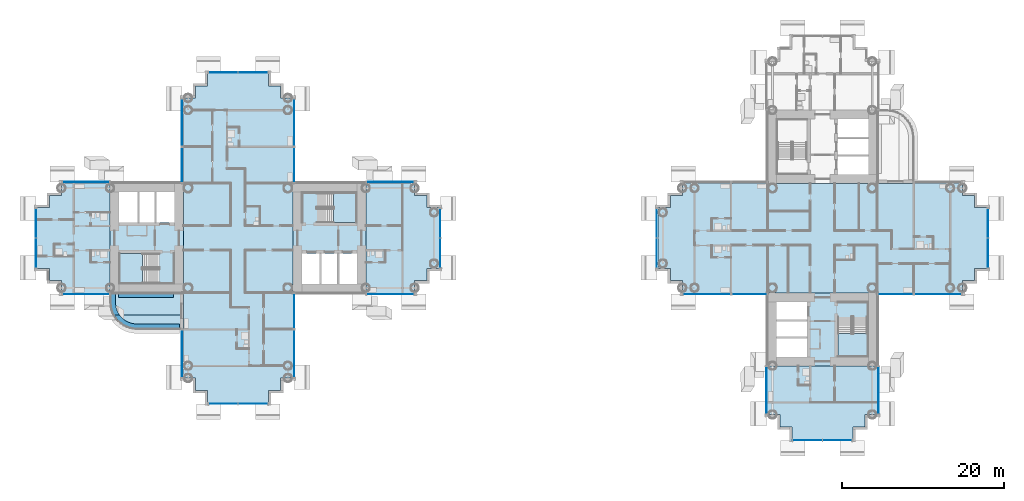
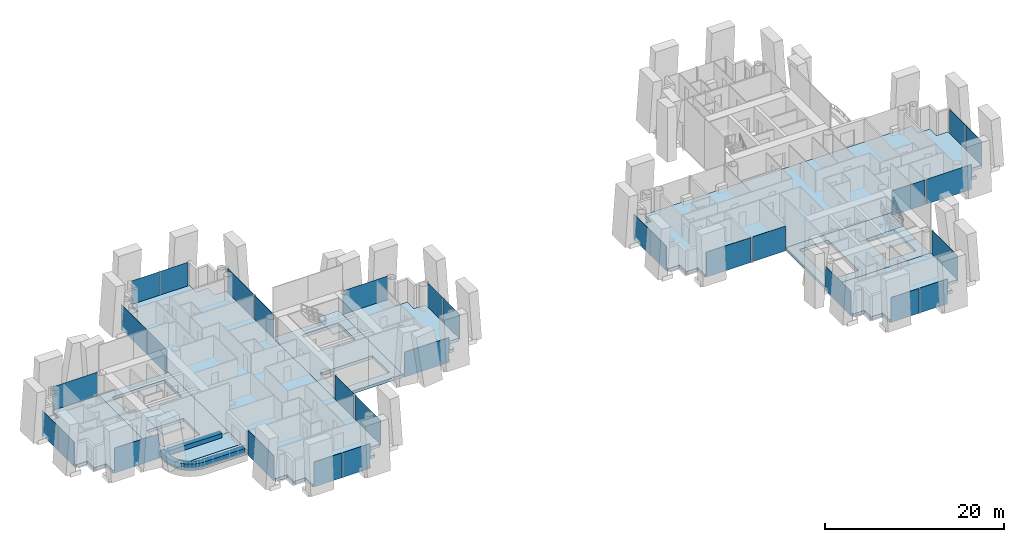
# One storey, part 8 of 24: 31 plates, 16 slabs, 27 elements without a shape of their own.
"""IFC4 building model written with IfcOpenShell, lengths in metres."""

from ifc_helpers import new_model, si_unit, direction, frame, origin, origin_2d, place, context, subcontext, project, spatial, polyline, rectangle, outline, extrude, material, layer, layer_set, type_object, element, aggregate, save


model = new_model("IFC4")

# Units and contexts
model_context = context("Model", 3, precision=1e-05, world=origin(), true_north=direction((0.0, 1.0)))
body_context = subcontext(model_context, "Body", "Model", "MODEL_VIEW")
ifc_project = project(units=[si_unit("LENGTHUNIT", "METRE"), si_unit("AREAUNIT", "SQUARE_METRE"), si_unit("VOLUMEUNIT", "CUBIC_METRE"), si_unit("PLANEANGLEUNIT", "RADIAN"), si_unit("MASSUNIT", "GRAM", prefix="KILO")], contexts=[model_context])

# Site, building, storey
site_placement = place(None, origin())
site = spatial("IfcSite", under=ifc_project, at=site_placement, CompositionType="ELEMENT")
building_placement = place(site_placement, origin())
building = spatial("IfcBuilding", under=site, at=building_placement, Name="Ipe Terrace Towers", CompositionType="ELEMENT")
storey_placement = place(building_placement, frame((0.0, 0.0, 38.10009765625)))
storey = spatial("IfcBuildingStorey", under=building, at=storey_placement, Name="L09", CompositionType="ELEMENT", Elevation=38.10009765625)

# Slabs
ifc_material_1 = material(Name="Concrete C30/37", Category="concrete")
ifc_layer_1 = layer(ifc_material_1, 0.199951171875)
ifc_layer_set_1 = layer_set([ifc_layer_1], Name="BALCONY SLAB 200")
slab_type_1 = type_object("IfcSlabType", Name="BALCONY SLAB 200", PredefinedType="FLOOR", material=ifc_layer_set_1)
slab_1_placement = place(storey_placement, frame((0.0, 0.0, -0.22021484375)))
element("IfcSlab", 1, at=slab_1_placement, inside=storey, type_object=slab_type_1, Name="balcony slab", PredefinedType="FLOOR", context=body_context, shape_type="SweptSolid", body=[
    extrude(outline(polyline([(-51.4990234375, -9.212890625), (-51.382080078125, -9.449951171875), (-42.75, -9.449951171875), (-42.75, -6.75), (-51.75, -6.75), (-51.75, -7.949951171875), (-51.721923828125, -8.381103515625), (-51.637939453125, -8.803955078125), (-51.4990234375, -9.212890625)])), origin(), (0.0, 0.0, 1.0), 0.2001953125),
])
slab_2_placement = place(storey_placement, frame((0.0, 0.0, -0.22021484375)))
element("IfcSlab", 2, at=slab_2_placement, inside=storey, type_object=slab_type_1, Name="balcony slab", PredefinedType="FLOOR", context=body_context, shape_type="SweptSolid", body=[
    extrude(outline(polyline([(-42.75, -11.25), (-42.75, -9.449951171875), (-51.382080078125, -9.449951171875), (-51.30810546875, -9.60009765625), (-51.068115234375, -9.958984375), (-50.782958984375, -10.282958984375), (-50.458984375, -10.568115234375), (-50.10009765625, -10.80810546875), (-49.712890625, -10.9990234375), (-49.303955078125, -11.137939453125), (-48.881103515625, -11.221923828125), (-48.449951171875, -11.25), (-42.75, -11.25)])), origin(), (0.0, 0.0, 1.0), 0.2001953125),
])
ifc_material_2 = material(Name="Concrete C30/37", Category="concrete")
ifc_layer_2 = layer(ifc_material_2, 0.39990234375)
ifc_layer_set_2 = layer_set([ifc_layer_2], Name="CORE FLOOR SLAB 400 C30-37")
slab_type_2 = type_object("IfcSlabType", Name="CORE FLOOR SLAB 400 C30-37", PredefinedType="FLOOR", material=ifc_layer_set_2)
slab_3_placement = place(storey_placement, frame((0.0, 0.0, -0.400146484375)))
element("IfcSlab", 3, at=slab_3_placement, inside=storey, type_object=slab_type_2, Name="Core floor T1-C1", PredefinedType="FLOOR", context=body_context, shape_type="SweptSolid", body=[
    extrude(outline(polyline([(-29.25, -6.75), (-29.25, 6.75), (-20.25, 6.75), (-20.25, -6.75), (-29.25, -6.75)]), holes=[polyline([(-28.14990234375, -5.64990234375), (-21.35009765625, -5.64990234375), (-21.35009765625, -1.89990234375), (-28.14990234375, -1.89990234375), (-28.14990234375, -5.64990234375)]), polyline([(-26.199951171875, 5.550048828125), (-26.199951171875, 1.89990234375), (-21.449951171875, 1.89990234375), (-21.449951171875, 5.550048828125), (-26.199951171875, 5.550048828125)])]), origin(), (0.0, 0.0, 1.0), 0.400146484375),
])
slab_4_placement = place(storey_placement, frame((0.0, 0.0, -0.400146484375)))
element("IfcSlab", 4, at=slab_4_placement, inside=storey, type_object=slab_type_2, Name="Core floor T1-C2", PredefinedType="FLOOR", context=body_context, shape_type="SweptSolid", body=[
    extrude(outline(polyline([(-51.75, -6.75), (-51.75, 6.75), (-42.75, 6.75), (-42.75, -6.75), (-51.75, -6.75)]), holes=[polyline([(-45.800048828125, -5.550048828125), (-45.800048828125, -1.89990234375), (-50.550048828125, -1.89990234375), (-50.550048828125, -5.550048828125), (-45.800048828125, -5.550048828125)]), polyline([(-50.64990234375, 1.89990234375), (-43.85009765625, 1.89990234375), (-43.85009765625, 5.64990234375), (-50.64990234375, 5.64990234375), (-50.64990234375, 1.89990234375)])]), origin(), (0.0, 0.0, 1.0), 0.400146484375),
])
slab_5_placement = place(storey_placement, frame((0.0, 0.0, -0.400146484375)))
element("IfcSlab", 5, at=slab_5_placement, inside=storey, type_object=slab_type_2, Name="Core floor T2-C2", PredefinedType="FLOOR", context=body_context, shape_type="SweptSolid", body=[
    extrude(outline(polyline([(29.25, -15.75), (29.25, -6.75), (42.75, -6.75), (42.75, -15.75), (29.25, -15.75)]), holes=[polyline([(34.10009765625, -14.64990234375), (34.10009765625, -7.85009765625), (30.35009765625, -7.85009765625), (30.35009765625, -14.64990234375), (34.10009765625, -14.64990234375)]), polyline([(41.550048828125, -9.800048828125), (37.89990234375, -9.800048828125), (37.89990234375, -14.550048828125), (41.550048828125, -14.550048828125), (41.550048828125, -9.800048828125)])]), origin(), (0.0, 0.0, 1.0), 0.400146484375),
])

# Stair, slab
ifc_material_3 = material(Name="Concrete C30/37", Category="concrete")
stair_type = type_object("IfcStairType", Name="Protected exit stair", PredefinedType="HALF_TURN_STAIR", material=ifc_material_3)
stair_1_placement = place(storey_placement, origin())
stair_1 = element("IfcStair", 6, at=stair_1_placement, inside=storey, type_object=stair_type, Name="L09 Exit stair T1-C1", PredefinedType="HALF_TURN_STAIR")
ifc_material_4 = material(Name="Concrete C30/37", Category="concrete")
ifc_layer_3 = layer(ifc_material_4, 0.199951171875)
ifc_layer_set_3 = layer_set([ifc_layer_3], Name="Exit stair landing 200")
slab_type_3 = type_object("IfcSlabType", Name="Exit stair landing 200", PredefinedType="LANDING", material=ifc_layer_set_3)
slab_6_placement = place(storey_placement, frame((0.0, 0.0, 1.5)))
slab_6 = element("IfcSlab", 7, at=slab_6_placement, type_object=slab_type_3, Name="T1-ST1 landing 1", PredefinedType="LANDING", context=body_context, shape_type="SweptSolid", body=[
    extrude(outline(polyline([(-24.219970703125, 1.89990234375), (-21.449951171875, 1.89990234375), (-21.449951171875, 5.550048828125), (-24.219970703125, 5.550048828125), (-24.219970703125, 1.89990234375)])), origin(), (0.0, 0.0, 1.0), 0.199951171875),
])
aggregate(stair_1, [slab_6])

stair_2_placement = place(storey_placement, origin())
stair_2 = element("IfcStair", 8, at=stair_2_placement, inside=storey, type_object=stair_type, Name="L09 Exit stair T1-C2", PredefinedType="HALF_TURN_STAIR")
slab_7_placement = place(storey_placement, frame((0.0, 0.0, 1.5)))
slab_7 = element("IfcSlab", 9, at=slab_7_placement, type_object=slab_type_3, Name="T1-ST2 landing 1", PredefinedType="LANDING", context=body_context, shape_type="SweptSolid", body=[
    extrude(outline(polyline([(-47.780029296875, -1.89990234375), (-50.550048828125, -1.89990234375), (-50.550048828125, -5.550048828125), (-47.780029296875, -5.550048828125), (-47.780029296875, -1.89990234375)])), origin(), (0.0, 0.0, 1.0), 0.199951171875),
])
aggregate(stair_2, [slab_7])

stair_3_placement = place(storey_placement, origin())
stair_3 = element("IfcStair", 10, at=stair_3_placement, inside=storey, type_object=stair_type, Name="L09 Exit stair T2-C2", PredefinedType="HALF_TURN_STAIR")
slab_8_placement = place(storey_placement, frame((0.0, 0.0, 1.5)))
slab_8 = element("IfcSlab", 11, at=slab_8_placement, type_object=slab_type_3, Name="T2-ST2 landing 1", PredefinedType="LANDING", context=body_context, shape_type="SweptSolid", body=[
    extrude(outline(polyline([(37.89990234375, -11.780029296875), (37.89990234375, -14.550048828125), (41.550048828125, -14.550048828125), (41.550048828125, -11.780029296875), (37.89990234375, -11.780029296875)])), origin(), (0.0, 0.0, 1.0), 0.199951171875),
])
aggregate(stair_3, [slab_8])

# Slabs
ifc_material_5 = material(Name="Concrete C40/50", Category="concrete")
ifc_layer_4 = layer(ifc_material_5, 0.39990234375)
ifc_layer_set_4 = layer_set([ifc_layer_4], Name="FLAT PLATE SLAB 400 C40-50")
slab_type_4 = type_object("IfcSlabType", Name="FLAT PLATE SLAB 400 C40-50", PredefinedType="FLOOR", material=ifc_layer_set_4)
slab_9_placement = place(storey_placement, frame((0.0, 0.0, -0.400146484375)))
element("IfcSlab", 12, at=slab_9_placement, inside=storey, type_object=slab_type_4, Name="Slab T1-FS-Z11", PredefinedType="FLOOR", context=body_context, shape_type="SweptSolid", body=[
    extrude(outline(polyline([(-30.75, -17.25), (-30.75, -18.75), (-32.25, -18.75), (-32.25, -20.25), (-39.75, -20.25), (-39.75, -18.75), (-41.25, -18.75), (-41.25, -17.25), (-42.75, -17.25), (-42.75, -6.75), (-42.75, 6.75), (-42.75, 17.25), (-41.25, 17.25), (-41.25, 18.75), (-39.75, 18.75), (-39.75, 20.25), (-32.25, 20.25), (-32.25, 18.75), (-30.75, 18.75), (-30.75, 17.25), (-29.25, 17.25), (-29.25, 6.75), (-29.25, -6.75), (-29.25, -17.25), (-30.75, -17.25)])), origin(), (0.0, 0.0, 1.0), 0.400146484375),
])
slab_10_placement = place(storey_placement, frame((0.0, 0.0, -0.400146484375)))
element("IfcSlab", 13, at=slab_10_placement, inside=storey, type_object=slab_type_4, Name="Slab T1-FS-Z12", PredefinedType="FLOOR", context=body_context, shape_type="SweptSolid", body=[
    extrude(outline(polyline([(-57.75, -6.75), (-57.75, -5.25), (-59.25, -5.25), (-59.25, -3.75), (-60.75, -3.75), (-60.75, 3.75), (-59.25, 3.75), (-59.25, 5.25), (-57.75, 5.25), (-57.75, 6.75), (-51.75, 6.75), (-51.75, -6.75), (-57.75, -6.75)])), origin(), (0.0, 0.0, 1.0), 0.400146484375),
])
slab_11_placement = place(storey_placement, frame((0.0, 0.0, -0.400146484375)))
element("IfcSlab", 14, at=slab_11_placement, inside=storey, type_object=slab_type_4, Name="Slab T1-FS-Z13", PredefinedType="FLOOR", context=body_context, shape_type="SweptSolid", body=[
    extrude(outline(polyline([(-14.25, 5.25), (-12.75, 5.25), (-12.75, 3.75), (-11.25, 3.75), (-11.25, -3.75), (-12.75, -3.75), (-12.75, -5.25), (-14.25, -5.25), (-14.25, -6.75), (-20.25, -6.75), (-20.25, 6.75), (-14.25, 6.75), (-14.25, 5.25)])), origin(), (0.0, 0.0, 1.0), 0.400146484375),
])
slab_12_placement = place(storey_placement, frame((0.0, 0.0, -0.400146484375)))
element("IfcSlab", 15, at=slab_12_placement, inside=storey, type_object=slab_type_4, Name="Slab T2-FS-Z11", PredefinedType="FLOOR", context=body_context, shape_type="SweptSolid", body=[
    extrude(outline(polyline([(53.25, 5.25), (54.75, 5.25), (54.75, 3.75), (56.25, 3.75), (56.25, -3.75), (54.75, -3.75), (54.75, -5.25), (53.25, -5.25), (53.25, -6.75), (42.75, -6.75), (29.25, -6.75), (18.75, -6.75), (18.75, -5.25), (17.25, -5.25), (17.25, -3.75), (15.75, -3.75), (15.75, 3.75), (17.25, 3.75), (17.25, 5.25), (18.75, 5.25), (18.75, 6.75), (29.25, 6.75), (42.75, 6.75), (53.25, 6.75), (53.25, 5.25)])), origin(), (0.0, 0.0, 1.0), 0.400146484375),
])
slab_13_placement = place(storey_placement, frame((0.0, 0.0, -0.400146484375)))
element("IfcSlab", 16, at=slab_13_placement, inside=storey, type_object=slab_type_4, Name="Slab T2-FS-Z12", PredefinedType="FLOOR", context=body_context, shape_type="SweptSolid", body=[
    extrude(outline(polyline([(42.75, -21.75), (41.25, -21.75), (41.25, -23.25), (39.75, -23.25), (39.75, -24.75), (32.25, -24.75), (32.25, -23.25), (30.75, -23.25), (30.75, -21.75), (29.25, -21.75), (29.25, -15.75), (42.75, -15.75), (42.75, -21.75)])), origin(), (0.0, 0.0, 1.0), 0.400146484375),
])
ifc_material_6 = material(Name="Concrete C30/37", Category="concrete")
ifc_layer_5 = layer(ifc_material_6, 0.60009765625)
ifc_layer_set_5 = layer_set([ifc_layer_5], Name="PLANTER TROUGH 550 x 600")
slab_type_5 = type_object("IfcSlabType", Name="PLANTER TROUGH 550 x 600", PredefinedType="USERDEFINED", material=ifc_layer_set_5)
slab_14_placement = place(storey_placement, frame((0.0, 0.0, -0.02001953125)))
element("IfcSlab", 17, at=slab_14_placement, inside=storey, type_object=slab_type_5, Name="planter", ObjectType="PLANTER", PredefinedType="USERDEFINED", context=body_context, shape_type="SweptSolid", body=[
    extrude(outline(polyline([(-50.9990234375, -8.633056640625), (-51.06591796875, -8.2939453125), (-51.090087890625, -7.927978515625), (-51.090087890625, -6.75), (-51.639892578125, -6.75), (-51.639892578125, -7.93701171875), (-51.638916015625, -7.955078125), (-51.614013671875, -8.347900390625), (-51.60888671875, -8.384033203125), (-51.534912109375, -8.758056640625), (-51.52490234375, -8.79296875), (-51.403076171875, -9.154052734375), (-51.388916015625, -9.18701171875), (-51.259033203125, -9.449951171875), (-50.614013671875, -9.449951171875), (-50.735107421875, -9.26904296875), (-50.887939453125, -8.9599609375), (-50.9990234375, -8.633056640625)])), origin(), (0.0, 0.0, 1.0), 0.599853515625),
])
slab_15_placement = place(storey_placement, frame((0.0, 0.0, -0.02001953125)))
element("IfcSlab", 18, at=slab_15_placement, inside=storey, type_object=slab_type_5, Name="planter", ObjectType="PLANTER", PredefinedType="USERDEFINED", context=body_context, shape_type="SweptSolid", body=[
    extrude(outline(polyline([(-50.54296875, -9.555908203125), (-50.614013671875, -9.449951171875), (-51.259033203125, -9.449951171875), (-51.219970703125, -9.529052734375), (-51.201904296875, -9.56005859375), (-50.990966796875, -9.876953125), (-50.968994140625, -9.905029296875), (-50.717041015625, -10.19189453125), (-50.69189453125, -10.217041015625), (-50.405029296875, -10.468994140625), (-50.376953125, -10.490966796875), (-50.06005859375, -10.701904296875), (-50.029052734375, -10.719970703125), (-49.68701171875, -10.888916015625), (-49.654052734375, -10.903076171875), (-49.29296875, -11.02490234375), (-49.258056640625, -11.034912109375), (-48.884033203125, -11.10888671875), (-48.847900390625, -11.114013671875), (-48.455078125, -11.138916015625), (-48.43701171875, -11.139892578125), (-43.199951171875, -11.139892578125), (-43.199951171875, -10.590087890625), (-48.427978515625, -10.590087890625), (-48.7939453125, -10.56591796875), (-49.133056640625, -10.4990234375), (-49.4599609375, -10.387939453125), (-49.76904296875, -10.235107421875), (-50.055908203125, -10.04296875), (-50.31591796875, -9.81591796875), (-50.54296875, -9.555908203125)])), origin(), (0.0, 0.0, 1.0), 0.599853515625),
])
slab_16_placement = place(storey_placement, frame((0.0, 0.0, -0.02001953125)))
element("IfcSlab", 19, at=slab_16_placement, inside=storey, type_object=slab_type_5, Name="planter", ObjectType="PLANTER", PredefinedType="USERDEFINED", context=body_context, shape_type="SweptSolid", body=[
    extrude(outline(polyline([(-43.949951171875, -6.75), (-50.75, -6.75), (-50.75, -7.300048828125), (-43.949951171875, -7.300048828125), (-43.949951171875, -6.75)])), origin(), (0.0, 0.0, 1.0), 0.599853515625),
])

# Curtain wall, plate
ifc_material_7 = material(Name="Aluminium alloy 6063-T6", Category="aluminium")
ifc_layer_6 = layer(ifc_material_7, 0.320068359375)
ifc_layer_set_6 = layer_set([ifc_layer_6], Name="TOWER UNITISED CURTAIN WALL")
curtain_wall_type = type_object("IfcCurtainWallType", Name="TOWER UNITISED CURTAIN WALL", PredefinedType="NOTDEFINED", material=ifc_layer_set_6)
curtain_wall_1_placement = place(storey_placement, origin())
curtain_wall_1 = element("IfcCurtainWall", 20, at=curtain_wall_1_placement, inside=storey, type_object=curtain_wall_type, Name="T1-CW-L09-04a curtain wall", PredefinedType="NOTDEFINED")
ifc_material_8 = material(Name="Glass, clear laminated", Category="glass")
ifc_layer_7 = layer(ifc_material_8, 0.031982421875)
ifc_layer_set_7 = layer_set([ifc_layer_7], Name="TOWER UNITISED GLASS PANEL 32")
plate_type = type_object("IfcPlateType", Name="TOWER UNITISED GLASS PANEL 32", PredefinedType="CURTAIN_PANEL", material=ifc_layer_set_7)
plate_1_placement = place(storey_placement, frame((-54.75048828125, -6.909912109375, -0.300048828125), z_axis=(0.0, 0.0, 1.0), x_axis=(1.0, 0.0, 0.0)))
plate_1 = element("IfcPlate", 21, at=plate_1_placement, type_object=plate_type, Name="T1-CW-L09-04a panel 1", PredefinedType="CURTAIN_PANEL", context=body_context, shape_type="SweptSolid", body=[
    extrude(rectangle(XDim=5.759033203125, YDim=0.031982421875, at=origin_2d()), origin(), (0.0, 0.0, 1.0), 3.39990234375),
])
aggregate(curtain_wall_1, [plate_1])

curtain_wall_2_placement = place(storey_placement, origin())
curtain_wall_2 = element("IfcCurtainWall", 22, at=curtain_wall_2_placement, inside=storey, type_object=curtain_wall_type, Name="T1-CW-L09-07a curtain wall", PredefinedType="NOTDEFINED")
plate_2_placement = place(storey_placement, frame((-42.909912109375, -14.25, -0.300048828125), z_axis=(0.0, 0.0, 1.0), x_axis=(0.0, -1.0, 0.0)))
plate_2 = element("IfcPlate", 23, at=plate_2_placement, type_object=plate_type, Name="T1-CW-L09-07a panel 1", PredefinedType="CURTAIN_PANEL", context=body_context, shape_type="SweptSolid", body=[
    extrude(rectangle(XDim=5.760009765625, YDim=0.031982421875, at=origin_2d()), origin(), (0.0, 0.0, 1.0), 3.39990234375),
])
aggregate(curtain_wall_2, [plate_2])

# Curtain wall, plates
curtain_wall_3_placement = place(storey_placement, origin())
curtain_wall_3 = element("IfcCurtainWall", 24, at=curtain_wall_3_placement, inside=storey, type_object=curtain_wall_type, Name="T1-CW-L09-12a curtain wall", PredefinedType="NOTDEFINED")
plate_3_placement = place(storey_placement, frame((-37.831298828125, -20.409912109375, -0.300048828125), z_axis=(0.0, 0.0, 1.0), x_axis=(1.0, 0.0, 0.0)))
plate_3 = element("IfcPlate", 25, at=plate_3_placement, type_object=plate_type, Name="T1-CW-L09-12a panel 1", PredefinedType="CURTAIN_PANEL", context=body_context, shape_type="SweptSolid", body=[
    extrude(rectangle(XDim=3.597412109375, YDim=0.031982421875, at=origin_2d()), origin(), (0.0, 0.0, 1.0), 3.39990234375),
])
plate_4_placement = place(storey_placement, frame((-34.168701171875, -20.409912109375, -0.300048828125), z_axis=(0.0, 0.0, 1.0), x_axis=(1.0, 0.0, 0.0)))
plate_4 = element("IfcPlate", 26, at=plate_4_placement, type_object=plate_type, Name="T1-CW-L09-12a panel 2", PredefinedType="CURTAIN_PANEL", context=body_context, shape_type="SweptSolid", body=[
    extrude(rectangle(XDim=3.597412109375, YDim=0.031982421875, at=origin_2d()), origin(), (0.0, 0.0, 1.0), 3.39990234375),
])
aggregate(curtain_wall_3, [plate_3, plate_4])

# Curtain wall, plate
curtain_wall_4_placement = place(storey_placement, origin())
curtain_wall_4 = element("IfcCurtainWall", 27, at=curtain_wall_4_placement, inside=storey, type_object=curtain_wall_type, Name="T1-CW-L09-17a curtain wall", PredefinedType="NOTDEFINED")
plate_5_placement = place(storey_placement, frame((-29.090087890625, -14.25, -0.300048828125), z_axis=(0.0, 0.0, 1.0), x_axis=(0.0, 1.0, 0.0)))
plate_5 = element("IfcPlate", 28, at=plate_5_placement, type_object=plate_type, Name="T1-CW-L09-17a panel 1", PredefinedType="CURTAIN_PANEL", context=body_context, shape_type="SweptSolid", body=[
    extrude(rectangle(XDim=5.760009765625, YDim=0.031982421875, at=origin_2d()), origin(), (0.0, 0.0, 1.0), 3.39990234375),
])
aggregate(curtain_wall_4, [plate_5])

curtain_wall_5_placement = place(storey_placement, origin())
curtain_wall_5 = element("IfcCurtainWall", 29, at=curtain_wall_5_placement, inside=storey, type_object=curtain_wall_type, Name="T1-CW-L09-18a curtain wall", PredefinedType="NOTDEFINED")
plate_6_placement = place(storey_placement, frame((-29.090087890625, -9.0, -0.300048828125), z_axis=(0.0, 0.0, 1.0), x_axis=(0.0, 1.0, 0.0)))
plate_6 = element("IfcPlate", 30, at=plate_6_placement, type_object=plate_type, Name="T1-CW-L09-18a panel 1", PredefinedType="CURTAIN_PANEL", context=body_context, shape_type="SweptSolid", body=[
    extrude(rectangle(XDim=4.260009765625, YDim=0.031982421875, at=origin_2d()), origin(), (0.0, 0.0, 1.0), 3.39990234375),
])
aggregate(curtain_wall_5, [plate_6])

curtain_wall_6_placement = place(storey_placement, origin())
curtain_wall_6 = element("IfcCurtainWall", 31, at=curtain_wall_6_placement, inside=storey, type_object=curtain_wall_type, Name="T1-CW-L09-20b curtain wall", PredefinedType="NOTDEFINED")
plate_7_placement = place(storey_placement, frame((-17.24951171875, -6.909912109375, -0.300048828125), z_axis=(0.0, 0.0, 1.0), x_axis=(1.0, 0.0, 0.0)))
plate_7 = element("IfcPlate", 32, at=plate_7_placement, type_object=plate_type, Name="T1-CW-L09-20b panel 1", PredefinedType="CURTAIN_PANEL", context=body_context, shape_type="SweptSolid", body=[
    extrude(rectangle(XDim=5.759033203125, YDim=0.031982421875, at=origin_2d()), origin(), (0.0, 0.0, 1.0), 3.39990234375),
])
aggregate(curtain_wall_6, [plate_7])

# Curtain wall, plates
curtain_wall_7_placement = place(storey_placement, origin())
curtain_wall_7 = element("IfcCurtainWall", 33, at=curtain_wall_7_placement, inside=storey, type_object=curtain_wall_type, Name="T1-CW-L09-25a curtain wall", PredefinedType="NOTDEFINED")
plate_8_placement = place(storey_placement, frame((-11.090087890625, -1.831298828125, -0.300048828125), z_axis=(0.0, 0.0, 1.0), x_axis=(0.0, 1.0, 0.0)))
plate_8 = element("IfcPlate", 34, at=plate_8_placement, type_object=plate_type, Name="T1-CW-L09-25a panel 1", PredefinedType="CURTAIN_PANEL", context=body_context, shape_type="SweptSolid", body=[
    extrude(rectangle(XDim=3.597412109375, YDim=0.031982421875, at=origin_2d()), origin(), (0.0, 0.0, 1.0), 3.39990234375),
])
plate_9_placement = place(storey_placement, frame((-11.090087890625, 1.831298828125, -0.300048828125), z_axis=(0.0, 0.0, 1.0), x_axis=(0.0, 1.0, 0.0)))
plate_9 = element("IfcPlate", 35, at=plate_9_placement, type_object=plate_type, Name="T1-CW-L09-25a panel 2", PredefinedType="CURTAIN_PANEL", context=body_context, shape_type="SweptSolid", body=[
    extrude(rectangle(XDim=3.597412109375, YDim=0.031982421875, at=origin_2d()), origin(), (0.0, 0.0, 1.0), 3.39990234375),
])
aggregate(curtain_wall_7, [plate_8, plate_9])

# Curtain wall, plate
curtain_wall_8_placement = place(storey_placement, origin())
curtain_wall_8 = element("IfcCurtainWall", 36, at=curtain_wall_8_placement, inside=storey, type_object=curtain_wall_type, Name="T1-CW-L09-30a curtain wall", PredefinedType="NOTDEFINED")
plate_10_placement = place(storey_placement, frame((-17.24951171875, 6.909912109375, -0.300048828125), z_axis=(0.0, 0.0, 1.0), x_axis=(-1.0, 0.0, 0.0)))
plate_10 = element("IfcPlate", 37, at=plate_10_placement, type_object=plate_type, Name="T1-CW-L09-30a panel 1", PredefinedType="CURTAIN_PANEL", context=body_context, shape_type="SweptSolid", body=[
    extrude(rectangle(XDim=5.759033203125, YDim=0.031982421875, at=origin_2d()), origin(), (0.0, 0.0, 1.0), 3.39990234375),
])
aggregate(curtain_wall_8, [plate_10])

curtain_wall_9_placement = place(storey_placement, origin())
curtain_wall_9 = element("IfcCurtainWall", 38, at=curtain_wall_9_placement, inside=storey, type_object=curtain_wall_type, Name="T1-CW-L09-32a curtain wall", PredefinedType="NOTDEFINED")
plate_11_placement = place(storey_placement, frame((-29.090087890625, 9.0, -0.300048828125), z_axis=(0.0, 0.0, 1.0), x_axis=(0.0, 1.0, 0.0)))
plate_11 = element("IfcPlate", 39, at=plate_11_placement, type_object=plate_type, Name="T1-CW-L09-32a panel 1", PredefinedType="CURTAIN_PANEL", context=body_context, shape_type="SweptSolid", body=[
    extrude(rectangle(XDim=4.260009765625, YDim=0.031982421875, at=origin_2d()), origin(), (0.0, 0.0, 1.0), 3.39990234375),
])
aggregate(curtain_wall_9, [plate_11])

curtain_wall_10_placement = place(storey_placement, origin())
curtain_wall_10 = element("IfcCurtainWall", 40, at=curtain_wall_10_placement, inside=storey, type_object=curtain_wall_type, Name="T1-CW-L09-33a curtain wall", PredefinedType="NOTDEFINED")
plate_12_placement = place(storey_placement, frame((-29.090087890625, 14.25, -0.300048828125), z_axis=(0.0, 0.0, 1.0), x_axis=(0.0, 1.0, 0.0)))
plate_12 = element("IfcPlate", 41, at=plate_12_placement, type_object=plate_type, Name="T1-CW-L09-33a panel 1", PredefinedType="CURTAIN_PANEL", context=body_context, shape_type="SweptSolid", body=[
    extrude(rectangle(XDim=5.760009765625, YDim=0.031982421875, at=origin_2d()), origin(), (0.0, 0.0, 1.0), 3.39990234375),
])
aggregate(curtain_wall_10, [plate_12])

# Curtain wall, plates
curtain_wall_11_placement = place(storey_placement, origin())
curtain_wall_11 = element("IfcCurtainWall", 42, at=curtain_wall_11_placement, inside=storey, type_object=curtain_wall_type, Name="T1-CW-L09-38a curtain wall", PredefinedType="NOTDEFINED")
plate_13_placement = place(storey_placement, frame((-34.168701171875, 20.409912109375, -0.300048828125), z_axis=(0.0, 0.0, 1.0), x_axis=(-1.0, 0.0, 0.0)))
plate_13 = element("IfcPlate", 43, at=plate_13_placement, type_object=plate_type, Name="T1-CW-L09-38a panel 1", PredefinedType="CURTAIN_PANEL", context=body_context, shape_type="SweptSolid", body=[
    extrude(rectangle(XDim=3.597412109375, YDim=0.031982421875, at=origin_2d()), origin(), (0.0, 0.0, 1.0), 3.39990234375),
])
plate_14_placement = place(storey_placement, frame((-37.831298828125, 20.409912109375, -0.300048828125), z_axis=(0.0, 0.0, 1.0), x_axis=(-1.0, 0.0, 0.0)))
plate_14 = element("IfcPlate", 44, at=plate_14_placement, type_object=plate_type, Name="T1-CW-L09-38a panel 2", PredefinedType="CURTAIN_PANEL", context=body_context, shape_type="SweptSolid", body=[
    extrude(rectangle(XDim=3.597412109375, YDim=0.031982421875, at=origin_2d()), origin(), (0.0, 0.0, 1.0), 3.39990234375),
])
aggregate(curtain_wall_11, [plate_13, plate_14])

# Curtain wall, plate
curtain_wall_12_placement = place(storey_placement, origin())
curtain_wall_12 = element("IfcCurtainWall", 45, at=curtain_wall_12_placement, inside=storey, type_object=curtain_wall_type, Name="T1-CW-L09-43a curtain wall", PredefinedType="NOTDEFINED")
plate_15_placement = place(storey_placement, frame((-42.909912109375, 14.25, -0.300048828125), z_axis=(0.0, 0.0, 1.0), x_axis=(0.0, -1.0, 0.0)))
plate_15 = element("IfcPlate", 46, at=plate_15_placement, type_object=plate_type, Name="T1-CW-L09-43a panel 1", PredefinedType="CURTAIN_PANEL", context=body_context, shape_type="SweptSolid", body=[
    extrude(rectangle(XDim=5.760009765625, YDim=0.031982421875, at=origin_2d()), origin(), (0.0, 0.0, 1.0), 3.39990234375),
])
aggregate(curtain_wall_12, [plate_15])

curtain_wall_13_placement = place(storey_placement, origin())
curtain_wall_13 = element("IfcCurtainWall", 47, at=curtain_wall_13_placement, inside=storey, type_object=curtain_wall_type, Name="T1-CW-L09-44a curtain wall", PredefinedType="NOTDEFINED")
plate_16_placement = place(storey_placement, frame((-42.909912109375, 9.0, -0.300048828125), z_axis=(0.0, 0.0, 1.0), x_axis=(0.0, -1.0, 0.0)))
plate_16 = element("IfcPlate", 48, at=plate_16_placement, type_object=plate_type, Name="T1-CW-L09-44a panel 1", PredefinedType="CURTAIN_PANEL", context=body_context, shape_type="SweptSolid", body=[
    extrude(rectangle(XDim=4.260009765625, YDim=0.031982421875, at=origin_2d()), origin(), (0.0, 0.0, 1.0), 3.39990234375),
])
aggregate(curtain_wall_13, [plate_16])

curtain_wall_14_placement = place(storey_placement, origin())
curtain_wall_14 = element("IfcCurtainWall", 49, at=curtain_wall_14_placement, inside=storey, type_object=curtain_wall_type, Name="T1-CW-L09-46b curtain wall", PredefinedType="NOTDEFINED")
plate_17_placement = place(storey_placement, frame((-54.75048828125, 6.909912109375, -0.300048828125), z_axis=(0.0, 0.0, 1.0), x_axis=(-1.0, 0.0, 0.0)))
plate_17 = element("IfcPlate", 50, at=plate_17_placement, type_object=plate_type, Name="T1-CW-L09-46b panel 1", PredefinedType="CURTAIN_PANEL", context=body_context, shape_type="SweptSolid", body=[
    extrude(rectangle(XDim=5.759033203125, YDim=0.031982421875, at=origin_2d()), origin(), (0.0, 0.0, 1.0), 3.39990234375),
])
aggregate(curtain_wall_14, [plate_17])

# Curtain wall, plates
curtain_wall_15_placement = place(storey_placement, origin())
curtain_wall_15 = element("IfcCurtainWall", 51, at=curtain_wall_15_placement, inside=storey, type_object=curtain_wall_type, Name="T1-CW-L09-51a curtain wall", PredefinedType="NOTDEFINED")
plate_18_placement = place(storey_placement, frame((-60.909912109375, 1.831298828125, -0.300048828125), z_axis=(0.0, 0.0, 1.0), x_axis=(0.0, -1.0, 0.0)))
plate_18 = element("IfcPlate", 52, at=plate_18_placement, type_object=plate_type, Name="T1-CW-L09-51a panel 1", PredefinedType="CURTAIN_PANEL", context=body_context, shape_type="SweptSolid", body=[
    extrude(rectangle(XDim=3.597412109375, YDim=0.031982421875, at=origin_2d()), origin(), (0.0, 0.0, 1.0), 3.39990234375),
])
plate_19_placement = place(storey_placement, frame((-60.909912109375, -1.831298828125, -0.300048828125), z_axis=(0.0, 0.0, 1.0), x_axis=(0.0, -1.0, 0.0)))
plate_19 = element("IfcPlate", 53, at=plate_19_placement, type_object=plate_type, Name="T1-CW-L09-51a panel 2", PredefinedType="CURTAIN_PANEL", context=body_context, shape_type="SweptSolid", body=[
    extrude(rectangle(XDim=3.597412109375, YDim=0.031982421875, at=origin_2d()), origin(), (0.0, 0.0, 1.0), 3.39990234375),
])
aggregate(curtain_wall_15, [plate_18, plate_19])

# Curtain wall, plate
curtain_wall_16_placement = place(storey_placement, origin())
curtain_wall_16 = element("IfcCurtainWall", 54, at=curtain_wall_16_placement, inside=storey, type_object=curtain_wall_type, Name="T2-CW-L09-04a curtain wall", PredefinedType="NOTDEFINED")
plate_20_placement = place(storey_placement, frame((42.909912109375, -18.75048828125, -0.300048828125), z_axis=(0.0, 0.0, 1.0), x_axis=(0.0, 1.0, 0.0)))
plate_20 = element("IfcPlate", 55, at=plate_20_placement, type_object=plate_type, Name="T2-CW-L09-04a panel 1", PredefinedType="CURTAIN_PANEL", context=body_context, shape_type="SweptSolid", body=[
    extrude(rectangle(XDim=5.759033203125, YDim=0.031982421875, at=origin_2d()), origin(), (0.0, 0.0, 1.0), 3.39990234375),
])
aggregate(curtain_wall_16, [plate_20])

curtain_wall_17_placement = place(storey_placement, origin())
curtain_wall_17 = element("IfcCurtainWall", 56, at=curtain_wall_17_placement, inside=storey, type_object=curtain_wall_type, Name="T2-CW-L09-06a curtain wall", PredefinedType="NOTDEFINED")
plate_21_placement = place(storey_placement, frame((45.0, -6.909912109375, -0.300048828125), z_axis=(0.0, 0.0, 1.0), x_axis=(1.0, 0.0, 0.0)))
plate_21 = element("IfcPlate", 57, at=plate_21_placement, type_object=plate_type, Name="T2-CW-L09-06a panel 1", PredefinedType="CURTAIN_PANEL", context=body_context, shape_type="SweptSolid", body=[
    extrude(rectangle(XDim=4.260009765625, YDim=0.031982421875, at=origin_2d()), origin(), (0.0, 0.0, 1.0), 3.39990234375),
])
aggregate(curtain_wall_17, [plate_21])

curtain_wall_18_placement = place(storey_placement, origin())
curtain_wall_18 = element("IfcCurtainWall", 58, at=curtain_wall_18_placement, inside=storey, type_object=curtain_wall_type, Name="T2-CW-L09-07a curtain wall", PredefinedType="NOTDEFINED")
plate_22_placement = place(storey_placement, frame((50.25, -6.909912109375, -0.300048828125), z_axis=(0.0, 0.0, 1.0), x_axis=(1.0, 0.0, 0.0)))
plate_22 = element("IfcPlate", 59, at=plate_22_placement, type_object=plate_type, Name="T2-CW-L09-07a panel 1", PredefinedType="CURTAIN_PANEL", context=body_context, shape_type="SweptSolid", body=[
    extrude(rectangle(XDim=5.760009765625, YDim=0.031982421875, at=origin_2d()), origin(), (0.0, 0.0, 1.0), 3.39990234375),
])
aggregate(curtain_wall_18, [plate_22])

# Curtain wall, plates
curtain_wall_19_placement = place(storey_placement, origin())
curtain_wall_19 = element("IfcCurtainWall", 60, at=curtain_wall_19_placement, inside=storey, type_object=curtain_wall_type, Name="T2-CW-L09-12a curtain wall", PredefinedType="NOTDEFINED")
plate_23_placement = place(storey_placement, frame((56.409912109375, -1.831298828125, -0.300048828125), z_axis=(0.0, 0.0, 1.0), x_axis=(0.0, 1.0, 0.0)))
plate_23 = element("IfcPlate", 61, at=plate_23_placement, type_object=plate_type, Name="T2-CW-L09-12a panel 1", PredefinedType="CURTAIN_PANEL", context=body_context, shape_type="SweptSolid", body=[
    extrude(rectangle(XDim=3.597412109375, YDim=0.031982421875, at=origin_2d()), origin(), (0.0, 0.0, 1.0), 3.39990234375),
])
plate_24_placement = place(storey_placement, frame((56.409912109375, 1.831298828125, -0.300048828125), z_axis=(0.0, 0.0, 1.0), x_axis=(0.0, 1.0, 0.0)))
plate_24 = element("IfcPlate", 62, at=plate_24_placement, type_object=plate_type, Name="T2-CW-L09-12a panel 2", PredefinedType="CURTAIN_PANEL", context=body_context, shape_type="SweptSolid", body=[
    extrude(rectangle(XDim=3.597412109375, YDim=0.031982421875, at=origin_2d()), origin(), (0.0, 0.0, 1.0), 3.39990234375),
])
aggregate(curtain_wall_19, [plate_23, plate_24])

curtain_wall_20_placement = place(storey_placement, origin())
curtain_wall_20 = element("IfcCurtainWall", 63, at=curtain_wall_20_placement, inside=storey, type_object=curtain_wall_type, Name="T2-CW-L09-38a curtain wall", PredefinedType="NOTDEFINED")
plate_25_placement = place(storey_placement, frame((15.590087890625, 1.831298828125, -0.300048828125), z_axis=(0.0, 0.0, 1.0), x_axis=(0.0, -1.0, 0.0)))
plate_25 = element("IfcPlate", 64, at=plate_25_placement, type_object=plate_type, Name="T2-CW-L09-38a panel 1", PredefinedType="CURTAIN_PANEL", context=body_context, shape_type="SweptSolid", body=[
    extrude(rectangle(XDim=3.597412109375, YDim=0.031982421875, at=origin_2d()), origin(), (0.0, 0.0, 1.0), 3.39990234375),
])
plate_26_placement = place(storey_placement, frame((15.590087890625, -1.831298828125, -0.300048828125), z_axis=(0.0, 0.0, 1.0), x_axis=(0.0, -1.0, 0.0)))
plate_26 = element("IfcPlate", 65, at=plate_26_placement, type_object=plate_type, Name="T2-CW-L09-38a panel 2", PredefinedType="CURTAIN_PANEL", context=body_context, shape_type="SweptSolid", body=[
    extrude(rectangle(XDim=3.597412109375, YDim=0.031982421875, at=origin_2d()), origin(), (0.0, 0.0, 1.0), 3.39990234375),
])
aggregate(curtain_wall_20, [plate_25, plate_26])

# Curtain wall, plate
curtain_wall_21_placement = place(storey_placement, origin())
curtain_wall_21 = element("IfcCurtainWall", 66, at=curtain_wall_21_placement, inside=storey, type_object=curtain_wall_type, Name="T2-CW-L09-43a curtain wall", PredefinedType="NOTDEFINED")
plate_27_placement = place(storey_placement, frame((21.75, -6.909912109375, -0.300048828125), z_axis=(0.0, 0.0, 1.0), x_axis=(1.0, 0.0, 0.0)))
plate_27 = element("IfcPlate", 67, at=plate_27_placement, type_object=plate_type, Name="T2-CW-L09-43a panel 1", PredefinedType="CURTAIN_PANEL", context=body_context, shape_type="SweptSolid", body=[
    extrude(rectangle(XDim=5.760009765625, YDim=0.031982421875, at=origin_2d()), origin(), (0.0, 0.0, 1.0), 3.39990234375),
])
aggregate(curtain_wall_21, [plate_27])

curtain_wall_22_placement = place(storey_placement, origin())
curtain_wall_22 = element("IfcCurtainWall", 68, at=curtain_wall_22_placement, inside=storey, type_object=curtain_wall_type, Name="T2-CW-L09-44a curtain wall", PredefinedType="NOTDEFINED")
plate_28_placement = place(storey_placement, frame((27.0, -6.909912109375, -0.300048828125), z_axis=(0.0, 0.0, 1.0), x_axis=(1.0, 0.0, 0.0)))
plate_28 = element("IfcPlate", 69, at=plate_28_placement, type_object=plate_type, Name="T2-CW-L09-44a panel 1", PredefinedType="CURTAIN_PANEL", context=body_context, shape_type="SweptSolid", body=[
    extrude(rectangle(XDim=4.260009765625, YDim=0.031982421875, at=origin_2d()), origin(), (0.0, 0.0, 1.0), 3.39990234375),
])
aggregate(curtain_wall_22, [plate_28])

curtain_wall_23_placement = place(storey_placement, origin())
curtain_wall_23 = element("IfcCurtainWall", 70, at=curtain_wall_23_placement, inside=storey, type_object=curtain_wall_type, Name="T2-CW-L09-46b curtain wall", PredefinedType="NOTDEFINED")
plate_29_placement = place(storey_placement, frame((29.090087890625, -18.75048828125, -0.300048828125), z_axis=(0.0, 0.0, 1.0), x_axis=(0.0, -1.0, 0.0)))
plate_29 = element("IfcPlate", 71, at=plate_29_placement, type_object=plate_type, Name="T2-CW-L09-46b panel 1", PredefinedType="CURTAIN_PANEL", context=body_context, shape_type="SweptSolid", body=[
    extrude(rectangle(XDim=5.759033203125, YDim=0.031982421875, at=origin_2d()), origin(), (0.0, 0.0, 1.0), 3.39990234375),
])
aggregate(curtain_wall_23, [plate_29])

# Curtain wall, plates
curtain_wall_24_placement = place(storey_placement, origin())
curtain_wall_24 = element("IfcCurtainWall", 72, at=curtain_wall_24_placement, inside=storey, type_object=curtain_wall_type, Name="T2-CW-L09-51a curtain wall", PredefinedType="NOTDEFINED")
plate_30_placement = place(storey_placement, frame((34.168701171875, -24.909912109375, -0.300048828125), z_axis=(0.0, 0.0, 1.0), x_axis=(1.0, 0.0, 0.0)))
plate_30 = element("IfcPlate", 73, at=plate_30_placement, type_object=plate_type, Name="T2-CW-L09-51a panel 1", PredefinedType="CURTAIN_PANEL", context=body_context, shape_type="SweptSolid", body=[
    extrude(rectangle(XDim=3.597412109375, YDim=0.031982421875, at=origin_2d()), origin(), (0.0, 0.0, 1.0), 3.39990234375),
])
plate_31_placement = place(storey_placement, frame((37.831298828125, -24.909912109375, -0.300048828125), z_axis=(0.0, 0.0, 1.0), x_axis=(1.0, 0.0, 0.0)))
plate_31 = element("IfcPlate", 74, at=plate_31_placement, type_object=plate_type, Name="T2-CW-L09-51a panel 2", PredefinedType="CURTAIN_PANEL", context=body_context, shape_type="SweptSolid", body=[
    extrude(rectangle(XDim=3.597412109375, YDim=0.031982421875, at=origin_2d()), origin(), (0.0, 0.0, 1.0), 3.39990234375),
])
aggregate(curtain_wall_24, [plate_30, plate_31])

save(model, "model.ifc")
